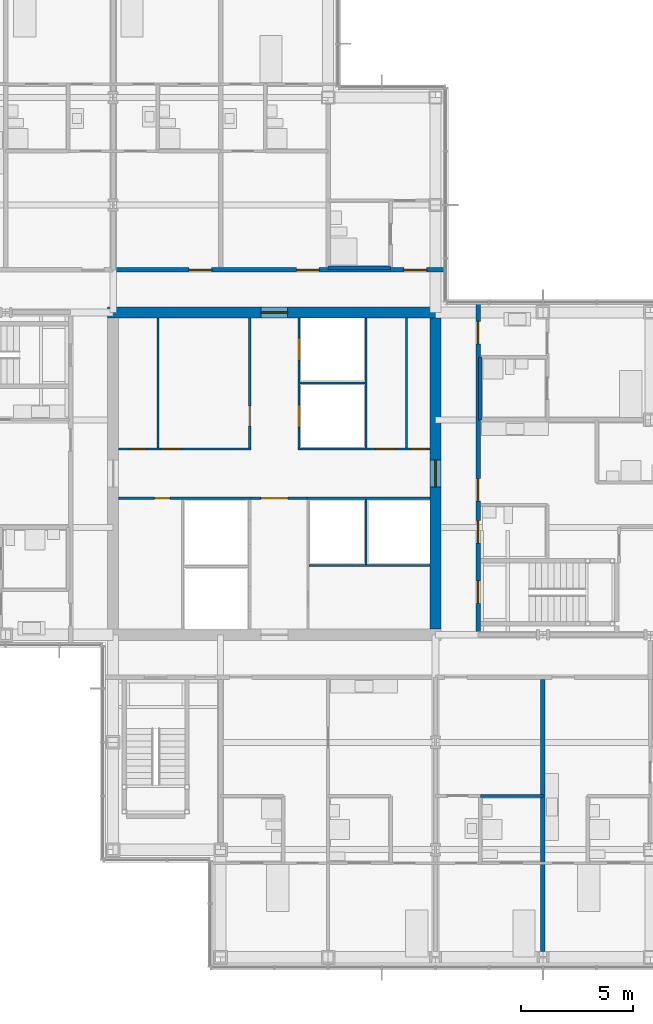
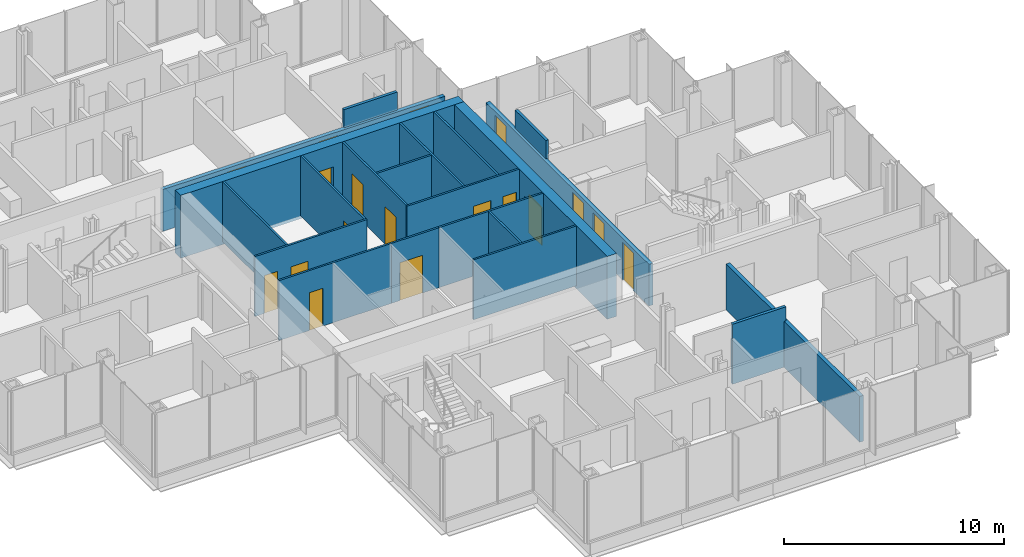
# One storey, part 15 of 20: 21 walls, 18 doors, 18 openings.
"""IFC4 building model written with IfcOpenShell, lengths in metres."""

from ifc_helpers import new_model, si_unit, direction, frame, frame_2d, origin, place, context, subcontext, project, spatial, rectangle, extrude, material, layer, layer_set, type_object, element, fill, save


model = new_model("IFC4")

# Units and contexts
model_context = context("Model", 3, precision=1e-05, world=origin(), true_north=direction((0.0, 1.0)))
body_context = subcontext(model_context, "Body", "Model", "MODEL_VIEW")
ifc_project = project(units=[si_unit("LENGTHUNIT", "METRE"), si_unit("AREAUNIT", "SQUARE_METRE"), si_unit("VOLUMEUNIT", "CUBIC_METRE"), si_unit("PLANEANGLEUNIT", "RADIAN"), si_unit("MASSUNIT", "GRAM", prefix="KILO")], contexts=[model_context])

# Site, building, storey
site_placement = place(None, origin())
site = spatial("IfcSite", under=ifc_project, at=site_placement, CompositionType="ELEMENT")
building_placement = place(site_placement, origin())
building = spatial("IfcBuilding", under=site, at=building_placement, Name="Kvirike Care Tower", CompositionType="ELEMENT")
storey_placement = place(building_placement, frame((0.0, 0.0, 115.5)))
storey = spatial("IfcBuildingStorey", under=building, at=storey_placement, Name="L31", CompositionType="ELEMENT", Elevation=115.5)

# Walls
ifc_material_1 = material(Name="Moisture-resistant board partition", Category="gypsum")
ifc_layer_1 = layer(ifc_material_1, 0.14990234375)
ifc_layer_set_1 = layer_set([ifc_layer_1], Name="BATHROOM WALL 150")
wall_type_1 = type_object("IfcWallType", Name="BATHROOM WALL 150", PredefinedType="PARTITIONING", material=ifc_layer_set_1)
for number, where, z_axis, x_axis, name in (
    (1, (26.800048828125, 45.199951171875, 0.0), (0.0, 0.0, 1.0), (-1.0, 0.0, 0.0), "Bathroom Wall 150 L31"),
    (2, (30.800048828125, 21.60009765625, 0.0), (0.0, 0.0, 1.0), (1.0, 0.0, 0.0), "Bathroom Wall 150 L31"),
    (3, (30.800048828125, 38.39990234375, 0.0), (0.0, 0.0, 1.0), (0.0, 1.0, 0.0), "Bathroom Wall 150 L31"),
):
    element("IfcWall", number, at=place(storey_placement, frame(where, z_axis=z_axis, x_axis=x_axis)), inside=storey, type_object=wall_type_1, Name=name, PredefinedType="PARTITIONING", context=body_context, shape_type="SweptSolid", body=[
        extrude(rectangle(XDim=2.800048828125, YDim=0.14990234375, at=frame_2d((1.39990234375, 0.0))), origin(), (0.0, 0.0, 1.0), 3.330078125),
    ])

# Wall, opening, door
ifc_material_2 = material(Name="Concrete C50/60", Category="concrete")
ifc_layer_2 = layer(ifc_material_2, 0.5)
ifc_layer_set_2 = layer_set([ifc_layer_2], Name="CORE WALL 500 C50-60")
wall_type_2 = type_object("IfcWallType", Name="CORE WALL 500 C50-60", PredefinedType="SHEAR", material=ifc_layer_set_2)
wall_1_placement = place(storey_placement, frame((29.050048828125, 43.199951171875, -0.169921875), z_axis=(0.0, 0.0, 1.0), x_axis=(-1.0, 0.0, 0.0)))
wall_1 = element("IfcWall", 4, at=wall_1_placement, inside=storey, type_object=wall_type_2, Name="Core wall N L31", PredefinedType="SHEAR", context=body_context, shape_type="SweptSolid", body=[
    extrude(rectangle(XDim=14.900146484375, YDim=0.5, at=frame_2d((7.4501953125, 0.0))), origin(), (0.0, 0.0, 1.0), 3.5),
])
opening_1_placement = place(wall_1_placement, frame((6.85009765625, 0.0, 0.169921875)))
opening_1 = element("IfcOpeningElement", 5, at=opening_1_placement, cuts=wall_1, Name="Opening 31-071", PredefinedType="OPENING", context=body_context, shape_type="SweptSolid", body=[
    extrude(rectangle(XDim=1.199951171875, YDim=2.10009765625, at=frame_2d((0.60009765625, 1.050048828125))), frame((0.0, 0.260498046875, 0.0), z_axis=(0.0, -1.0, 0.0), x_axis=(1.0, 0.0, 0.0)), (0.0, 0.0, 1.0), 0.52099609375),
])
ifc_material_3 = material(Name="Timber door set", Category="wood")
door_type_1 = type_object("IfcDoorType", Name="CORE DOOR 1200", OperationType="SINGLE_SWING_LEFT", PredefinedType="DOOR", material=ifc_material_3)
door_1_placement = place(opening_1_placement, origin())
door_1 = element("IfcDoor", 6, at=door_1_placement, inside=storey, type_object=door_type_1, Name="Core door N L31", OperationType="SINGLE_SWING_LEFT", OverallHeight=2.10009765625, OverallWidth=1.199951171875, PredefinedType="DOOR", context=body_context, shape_type="SweptSolid", body=[
    extrude(rectangle(XDim=1.199951171875, YDim=2.10009765625, at=frame_2d((0.60009765625, 1.050048828125))), frame((0.0, 0.02685546875, 0.0), z_axis=(0.0, -1.0, 0.0), x_axis=(1.0, 0.0, 0.0)), (0.0, 0.0, 1.0), 0.053955078125),
])
fill(opening_1, door_1)

wall_2_placement = place(storey_placement, frame((28.800048828125, 29.050048828125, -0.169921875), z_axis=(0.0, 0.0, 1.0), x_axis=(0.0, 1.0, 0.0)))
wall_2 = element("IfcWall", 7, at=wall_2_placement, inside=storey, type_object=wall_type_2, Name="Core wall E L31", PredefinedType="SHEAR", context=body_context, shape_type="SweptSolid", body=[
    extrude(rectangle(XDim=13.89990234375, YDim=0.5, at=frame_2d((6.949951171875, 0.0))), origin(), (0.0, 0.0, 1.0), 3.5),
])
opening_2_placement = place(wall_2_placement, frame((6.35009765625, 0.0, 0.169921875)))
opening_2 = element("IfcOpeningElement", 8, at=opening_2_placement, cuts=wall_2, Name="Opening 31-070", PredefinedType="OPENING", context=body_context, shape_type="SweptSolid", body=[
    extrude(rectangle(XDim=1.199951171875, YDim=2.10009765625, at=frame_2d((0.60009765625, 1.050048828125))), frame((0.0, 0.260498046875, 0.0), z_axis=(0.0, -1.0, 0.0), x_axis=(1.0, 0.0, 0.0)), (0.0, 0.0, 1.0), 0.52099609375),
])
door_2_placement = place(opening_2_placement, origin())
door_2 = element("IfcDoor", 9, at=door_2_placement, inside=storey, type_object=door_type_1, Name="Core door E L31", OperationType="SINGLE_SWING_LEFT", OverallHeight=2.10009765625, OverallWidth=1.199951171875, PredefinedType="DOOR", context=body_context, shape_type="SweptSolid", body=[
    extrude(rectangle(XDim=1.199951171875, YDim=2.10009765625, at=frame_2d((0.60009765625, 1.050048828125))), frame((0.0, 0.02685546875, 0.0), z_axis=(0.0, -1.0, 0.0), x_axis=(1.0, 0.0, 0.0)), (0.0, 0.0, 1.0), 0.053955078125),
])
fill(opening_2, door_2)

# Wall, openings, doors
ifc_material_4 = material(Name="Plasterboard corridor wall", Category="gypsum")
ifc_layer_3 = layer(ifc_material_4, 0.199951171875)
ifc_layer_set_3 = layer_set([ifc_layer_3], Name="CORRIDOR WALL 200")
wall_type_3 = type_object("IfcWallType", Name="CORRIDOR WALL 200", PredefinedType="PARTITIONING", material=ifc_layer_set_3)
wall_3_placement = place(storey_placement, frame((29.239990234375, 45.10009765625, 0.0), z_axis=(0.0, 0.0, 1.0), x_axis=(-1.0, 0.0, 0.0)))
wall_3 = element("IfcWall", 10, at=wall_3_placement, inside=storey, type_object=wall_type_3, Name="Corridor Wall 200 L31", PredefinedType="PARTITIONING", context=body_context, shape_type="SweptSolid", body=[
    extrude(rectangle(XDim=14.840087890625, YDim=0.199951171875, at=frame_2d((7.419921875, 0.0))), origin(), (0.0, 0.0, 1.0), 2.320068359375),
])
opening_3_placement = place(wall_3_placement, frame((0.840087890625, 0.0, 0.0)))
opening_3 = element("IfcOpeningElement", 11, at=opening_3_placement, cuts=wall_3, Name="Opening 31-035", PredefinedType="OPENING", context=body_context, shape_type="SweptSolid", body=[
    extrude(rectangle(XDim=1.0, YDim=2.10009765625, at=frame_2d((0.5, 1.050048828125))), frame((0.0, 0.110595703125, 0.0), z_axis=(0.0, -1.0, 0.0), x_axis=(1.0, 0.0, 0.0)), (0.0, 0.0, 1.0), 0.220947265625),
])
opening_4_placement = place(wall_3_placement, frame((5.639892578125, 0.0, 0.0)))
opening_4 = element("IfcOpeningElement", 12, at=opening_4_placement, cuts=wall_3, Name="Opening 31-036", PredefinedType="OPENING", context=body_context, shape_type="SweptSolid", body=[
    extrude(rectangle(XDim=1.0, YDim=2.10009765625, at=frame_2d((0.5, 1.050048828125))), frame((0.0, 0.110595703125, 0.0), z_axis=(0.0, -1.0, 0.0), x_axis=(1.0, 0.0, 0.0)), (0.0, 0.0, 1.0), 0.220947265625),
])
opening_5_placement = place(wall_3_placement, frame((10.43994140625, 0.0, 0.0)))
opening_5 = element("IfcOpeningElement", 13, at=opening_5_placement, cuts=wall_3, Name="Opening 31-037", PredefinedType="OPENING", context=body_context, shape_type="SweptSolid", body=[
    extrude(rectangle(XDim=1.0, YDim=2.10009765625, at=frame_2d((0.5, 1.050048828125))), frame((0.0, 0.110595703125, 0.0), z_axis=(0.0, -1.0, 0.0), x_axis=(1.0, 0.0, 0.0)), (0.0, 0.0, 1.0), 0.220947265625),
])
ifc_material_5 = material(Name="Timber door set", Category="wood")
door_type_2 = type_object("IfcDoorType", Name="FLAT ENTRANCE DOOR 1000", OperationType="SINGLE_SWING_LEFT", PredefinedType="DOOR", material=ifc_material_5)
door_3_placement = place(opening_3_placement, frame((1.0, 0.0, 0.0), z_axis=(0.0, 0.0, 1.0), x_axis=(-1.0, 0.0, 0.0)))
door_3 = element("IfcDoor", 14, at=door_3_placement, inside=storey, type_object=door_type_2, Name="Care base entrance", OperationType="SINGLE_SWING_LEFT", OverallHeight=2.10009765625, OverallWidth=1.0, PredefinedType="DOOR", context=body_context, shape_type="SweptSolid", body=[
    extrude(rectangle(XDim=1.0, YDim=2.10009765625, at=frame_2d((0.5, 1.050048828125))), frame((0.0, 0.02685546875, 0.0), z_axis=(0.0, -1.0, 0.0), x_axis=(1.0, 0.0, 0.0)), (0.0, 0.0, 1.0), 0.053955078125),
])
fill(opening_3, door_3)
door_4_placement = place(opening_4_placement, frame((1.0, 0.0, 0.0), z_axis=(0.0, 0.0, 1.0), x_axis=(-1.0, 0.0, 0.0)))
door_4 = element("IfcDoor", 15, at=door_4_placement, inside=storey, type_object=door_type_2, Name="Assisted living suite entrance", OperationType="SINGLE_SWING_LEFT", OverallHeight=2.10009765625, OverallWidth=1.0, PredefinedType="DOOR", context=body_context, shape_type="SweptSolid", body=[
    extrude(rectangle(XDim=1.0, YDim=2.10009765625, at=frame_2d((0.5, 1.050048828125))), frame((0.0, 0.02685546875, 0.0), z_axis=(0.0, -1.0, 0.0), x_axis=(1.0, 0.0, 0.0)), (0.0, 0.0, 1.0), 0.053955078125),
])
fill(opening_4, door_4)
door_5_placement = place(opening_5_placement, frame((1.0, 0.0, 0.0), z_axis=(0.0, 0.0, 1.0), x_axis=(-1.0, 0.0, 0.0)))
door_5 = element("IfcDoor", 16, at=door_5_placement, inside=storey, type_object=door_type_2, Name="Assisted living suite entrance", OperationType="SINGLE_SWING_LEFT", OverallHeight=2.10009765625, OverallWidth=1.0, PredefinedType="DOOR", context=body_context, shape_type="SweptSolid", body=[
    extrude(rectangle(XDim=1.0, YDim=2.10009765625, at=frame_2d((0.5, 1.050048828125))), frame((0.0, 0.02685546875, 0.0), z_axis=(0.0, -1.0, 0.0), x_axis=(1.0, 0.0, 0.0)), (0.0, 0.0, 1.0), 0.053955078125),
])
fill(opening_5, door_5)

wall_4_placement = place(storey_placement, frame((30.699951171875, 28.800048828125, 0.0), z_axis=(0.0, 0.0, 1.0), x_axis=(0.0, 1.0, 0.0)))
wall_4 = element("IfcWall", 17, at=wall_4_placement, inside=storey, type_object=wall_type_3, Name="Corridor Wall 200 L31", PredefinedType="PARTITIONING", context=body_context, shape_type="SweptSolid", body=[
    extrude(rectangle(XDim=14.83984375, YDim=0.199951171875, at=frame_2d((7.419921875, 0.0))), origin(), (0.0, 0.0, 1.0), 2.320068359375),
])
opening_6_placement = place(wall_4_placement, frame((1.39990234375, 0.0, 0.0)))
opening_6 = element("IfcOpeningElement", 18, at=opening_6_placement, cuts=wall_4, Name="Opening 31-052", PredefinedType="OPENING", context=body_context, shape_type="SweptSolid", body=[
    extrude(rectangle(XDim=1.0, YDim=2.10009765625, at=frame_2d((0.5, 1.050048828125))), frame((0.0, 0.110595703125, 0.0), z_axis=(0.0, -1.0, 0.0), x_axis=(1.0, 0.0, 0.0)), (0.0, 0.0, 1.0), 0.220947265625),
])
opening_7_placement = place(wall_4_placement, frame((4.10009765625, 0.0, 0.0)))
opening_7 = element("IfcOpeningElement", 19, at=opening_7_placement, cuts=wall_4, Name="Opening 31-053", PredefinedType="OPENING", context=body_context, shape_type="SweptSolid", body=[
    extrude(rectangle(XDim=1.0, YDim=2.10009765625, at=frame_2d((0.5, 1.050048828125))), frame((0.0, 0.110595703125, 0.0), z_axis=(0.0, -1.0, 0.0), x_axis=(1.0, 0.0, 0.0)), (0.0, 0.0, 1.0), 0.220947265625),
])
opening_8_placement = place(wall_4_placement, frame((5.97509765625, 0.0, 0.0)))
opening_8 = element("IfcOpeningElement", 20, at=opening_8_placement, cuts=wall_4, Name="Opening 31-054", PredefinedType="OPENING", context=body_context, shape_type="SweptSolid", body=[
    extrude(rectangle(XDim=1.0, YDim=2.10009765625, at=frame_2d((0.5, 1.050048828125))), frame((0.0, 0.110595703125, 0.0), z_axis=(0.0, -1.0, 0.0), x_axis=(1.0, 0.0, 0.0)), (0.0, 0.0, 1.0), 0.220947265625),
])
opening_9_placement = place(wall_4_placement, frame((13.0, 0.0, 0.0)))
opening_9 = element("IfcOpeningElement", 21, at=opening_9_placement, cuts=wall_4, Name="Opening 31-055", PredefinedType="OPENING", context=body_context, shape_type="SweptSolid", body=[
    extrude(rectangle(XDim=1.0, YDim=2.10009765625, at=frame_2d((0.5, 1.050048828125))), frame((0.0, 0.110595703125, 0.0), z_axis=(0.0, -1.0, 0.0), x_axis=(1.0, 0.0, 0.0)), (0.0, 0.0, 1.0), 0.220947265625),
])
door_6_placement = place(opening_8_placement, frame((1.0, 0.0, 0.0), z_axis=(0.0, 0.0, 1.0), x_axis=(-1.0, 0.0, 0.0)))
door_6 = element("IfcDoor", 22, at=door_6_placement, inside=storey, type_object=door_type_2, Name="Assisted living suite entrance", OperationType="SINGLE_SWING_LEFT", OverallHeight=2.10009765625, OverallWidth=1.0, PredefinedType="DOOR", context=body_context, shape_type="SweptSolid", body=[
    extrude(rectangle(XDim=1.0, YDim=2.10009765625, at=frame_2d((0.5, 1.050048828125))), frame((0.0, 0.02685546875, 0.0), z_axis=(0.0, -1.0, 0.0), x_axis=(1.0, 0.0, 0.0)), (0.0, 0.0, 1.0), 0.053955078125),
])
fill(opening_8, door_6)
door_7_placement = place(opening_9_placement, frame((1.0, 0.0, 0.0), z_axis=(0.0, 0.0, 1.0), x_axis=(-1.0, 0.0, 0.0)))
door_7 = element("IfcDoor", 23, at=door_7_placement, inside=storey, type_object=door_type_2, Name="Assisted living suite entrance", OperationType="SINGLE_SWING_RIGHT", OverallHeight=2.10009765625, OverallWidth=1.0, PredefinedType="DOOR", context=body_context, shape_type="SweptSolid", body=[
    extrude(rectangle(XDim=1.0, YDim=2.10009765625, at=frame_2d((0.5, 1.050048828125))), frame((0.0, 0.02685546875, 0.0), z_axis=(0.0, -1.0, 0.0), x_axis=(1.0, 0.0, 0.0)), (0.0, 0.0, 1.0), 0.053955078125),
])
fill(opening_9, door_7)
ifc_material_6 = material(Name="Timber door set", Category="wood")
door_type_3 = type_object("IfcDoorType", Name="STAIR DOOR 1000", OperationType="SINGLE_SWING_LEFT", PredefinedType="DOOR", material=ifc_material_6)
door_8_placement = place(opening_6_placement, frame((1.0, 0.0, 0.0), z_axis=(0.0, 0.0, 1.0), x_axis=(-1.0, 0.0, 0.0)))
door_8 = element("IfcDoor", 24, at=door_8_placement, inside=storey, type_object=door_type_3, Name="Stair 2 door", OperationType="SINGLE_SWING_LEFT", OverallHeight=2.10009765625, OverallWidth=1.0, PredefinedType="DOOR", context=body_context, shape_type="SweptSolid", body=[
    extrude(rectangle(XDim=1.0, YDim=2.10009765625, at=frame_2d((0.5, 1.050048828125))), frame((0.0, 0.031982421875, 0.0), z_axis=(0.0, -1.0, 0.0), x_axis=(1.0, 0.0, 0.0)), (0.0, 0.0, 1.0), 0.06396484375),
])
fill(opening_6, door_8)
ifc_material_7 = material(Name="Timber door set", Category="wood")
door_type_4 = type_object("IfcDoorType", Name="WC DOOR 1000", OperationType="SINGLE_SWING_LEFT", PredefinedType="DOOR", material=ifc_material_7)
door_9_placement = place(opening_7_placement, frame((1.0, 0.0, 0.0), z_axis=(0.0, 0.0, 1.0), x_axis=(-1.0, 0.0, 0.0)))
door_9 = element("IfcDoor", 25, at=door_9_placement, inside=storey, type_object=door_type_4, Name="Accessible WC door", OperationType="SINGLE_SWING_LEFT", OverallHeight=2.10009765625, OverallWidth=1.0, PredefinedType="DOOR", context=body_context, shape_type="SweptSolid", body=[
    extrude(rectangle(XDim=1.0, YDim=2.10009765625, at=frame_2d((0.5, 1.050048828125))), frame((0.0, 0.02685546875, 0.0), z_axis=(0.0, -1.0, 0.0), x_axis=(1.0, 0.0, 0.0)), (0.0, 0.0, 1.0), 0.053955078125),
])
fill(opening_7, door_9)

# Walls
ifc_material_8 = material(Name="Plasterboard party wall", Category="gypsum")
ifc_layer_4 = layer(ifc_material_8, 0.199951171875)
ifc_layer_set_4 = layer_set([ifc_layer_4], Name="PARTY WALL 200")
wall_type_4 = type_object("IfcWallType", Name="PARTY WALL 200", PredefinedType="PARTITIONING", material=ifc_layer_set_4)
wall_5_placement = place(storey_placement, frame((33.60009765625, 14.64404296875, 0.0), z_axis=(0.0, 0.0, 1.0), x_axis=(0.0, 1.0, 0.0)))
element("IfcWall", 26, at=wall_5_placement, inside=storey, type_object=wall_type_4, Name="Party Wall 200 L31", PredefinedType="PARTITIONING", context=body_context, shape_type="SweptSolid", body=[
    extrude(rectangle(XDim=12.156005859375, YDim=0.199951171875, at=frame_2d((6.078125, 0.0))), origin(), (0.0, 0.0, 1.0), 2.550048828125),
])
ifc_material_9 = material(Name="Gypsum shaft wall system", Category="gypsum")
ifc_layer_5 = layer(ifc_material_9, 0.10009765625)
ifc_layer_set_5 = layer_set([ifc_layer_5], Name="SHAFT WALL 100")
wall_type_5 = type_object("IfcWallType", Name="SHAFT WALL 100", PredefinedType="SOLIDWALL", material=ifc_layer_set_5)
for number, where, z_axis, x_axis, name in (
    (27, (16.39990234375, 37.14990234375, 0.0), (0.0, 0.0, 1.0), (0.0, 1.0, 0.0), "Shaft Wall 100 L31"),
    (28, (27.5, 37.14990234375, 0.0), (0.0, 0.0, 1.0), (0.0, 1.0, 0.0), "Shaft Wall 100 L31"),
):
    element("IfcWall", number, at=place(storey_placement, frame(where, z_axis=z_axis, x_axis=x_axis)), inside=storey, type_object=wall_type_5, Name=name, PredefinedType="SOLIDWALL", context=body_context, shape_type="SweptSolid", body=[
        extrude(rectangle(XDim=5.800048828125, YDim=0.10009765625, at=frame_2d((2.89990234375, 0.0))), origin(), (0.0, 0.0, 1.0), 3.330078125),
    ])

# Wall, opening, door
wall_6_placement = place(storey_placement, frame((20.5, 37.14990234375, 0.0), z_axis=(0.0, 0.0, 1.0), x_axis=(0.0, 1.0, 0.0)))
wall_6 = element("IfcWall", 29, at=wall_6_placement, inside=storey, type_object=wall_type_5, Name="Shaft Wall 100 L31", PredefinedType="SOLIDWALL", context=body_context, shape_type="SweptSolid", body=[
    extrude(rectangle(XDim=5.800048828125, YDim=0.10009765625, at=frame_2d((2.89990234375, 0.0))), origin(), (0.0, 0.0, 1.0), 3.330078125),
])
opening_10_placement = place(wall_6_placement, frame((0.97509765625, 0.0, 0.0)))
opening_10 = element("IfcOpeningElement", 30, at=opening_10_placement, cuts=wall_6, Name="Opening 31-058", PredefinedType="OPENING", context=body_context, shape_type="SweptSolid", body=[
    extrude(rectangle(XDim=0.89990234375, YDim=2.10009765625, at=frame_2d((0.449951171875, 1.050048828125))), frame((0.0, 0.060546875, 0.0), z_axis=(0.0, -1.0, 0.0), x_axis=(1.0, 0.0, 0.0)), (0.0, 0.0, 1.0), 0.12109375),
])
ifc_material_10 = material(Name="Timber door set", Category="wood")
door_type_5 = type_object("IfcDoorType", Name="STORE DOOR 900", OperationType="SINGLE_SWING_LEFT", PredefinedType="DOOR", material=ifc_material_10)
door_10_placement = place(opening_10_placement, origin())
door_10 = element("IfcDoor", 31, at=door_10_placement, inside=storey, type_object=door_type_5, Name="Housekeeping office door", OperationType="SINGLE_SWING_RIGHT", OverallHeight=2.10009765625, OverallWidth=0.89990234375, PredefinedType="DOOR", context=body_context, shape_type="SweptSolid", body=[
    extrude(rectangle(XDim=0.89990234375, YDim=2.10009765625, at=frame_2d((0.449951171875, 1.050048828125))), frame((0.0, 0.02685546875, 0.0), z_axis=(0.0, -1.0, 0.0), x_axis=(1.0, 0.0, 0.0)), (0.0, 0.0, 1.0), 0.053955078125),
])
fill(opening_10, door_10)

# Wall, openings, doors
wall_7_placement = place(storey_placement, frame((22.699951171875, 37.14990234375, 0.0), z_axis=(0.0, 0.0, 1.0), x_axis=(0.0, 1.0, 0.0)))
wall_7 = element("IfcWall", 32, at=wall_7_placement, inside=storey, type_object=wall_type_5, Name="Shaft Wall 100 L31", PredefinedType="SOLIDWALL", context=body_context, shape_type="SweptSolid", body=[
    extrude(rectangle(XDim=5.800048828125, YDim=0.10009765625, at=frame_2d((2.89990234375, 0.0))), origin(), (0.0, 0.0, 1.0), 3.330078125),
])
opening_11_placement = place(wall_7_placement, frame((0.925048828125, 0.0, 0.0)))
opening_11 = element("IfcOpeningElement", 33, at=opening_11_placement, cuts=wall_7, Name="Opening 31-059", PredefinedType="OPENING", context=body_context, shape_type="SweptSolid", body=[
    extrude(rectangle(XDim=1.0, YDim=2.10009765625, at=frame_2d((0.5, 1.050048828125))), frame((0.0, 0.060546875, 0.0), z_axis=(0.0, -1.0, 0.0), x_axis=(1.0, 0.0, 0.0)), (0.0, 0.0, 1.0), 0.12109375),
])
opening_12_placement = place(wall_7_placement, frame((3.89990234375, 0.0, 0.0)))
opening_12 = element("IfcOpeningElement", 34, at=opening_12_placement, cuts=wall_7, Name="Opening 31-060", PredefinedType="OPENING", context=body_context, shape_type="SweptSolid", body=[
    extrude(rectangle(XDim=1.0, YDim=2.10009765625, at=frame_2d((0.5, 1.050048828125))), frame((0.0, 0.060546875, 0.0), z_axis=(0.0, -1.0, 0.0), x_axis=(1.0, 0.0, 0.0)), (0.0, 0.0, 1.0), 0.12109375),
])
ifc_material_11 = material(Name="Aluminium door frame", Category="aluminium")
door_type_6 = type_object("IfcDoorType", Name="LIFT LANDING DOOR 1000", OperationType="SLIDING_TO_LEFT", PredefinedType="DOOR", material=ifc_material_11)
door_11_placement = place(opening_11_placement, origin())
door_11 = element("IfcDoor", 35, at=door_11_placement, inside=storey, type_object=door_type_6, Name="Lift P3 landing door", OperationType="SLIDING_TO_LEFT", OverallHeight=2.10009765625, OverallWidth=1.0, PredefinedType="DOOR", context=body_context, shape_type="SweptSolid", body=[
    extrude(rectangle(XDim=1.0, YDim=2.10009765625, at=frame_2d((0.5, 1.050048828125))), frame((0.0, 0.0498046875, 0.0), z_axis=(0.0, -1.0, 0.0), x_axis=(1.0, 0.0, 0.0)), (0.0, 0.0, 1.0), 0.099609375),
])
fill(opening_11, door_11)
door_12_placement = place(opening_12_placement, origin())
door_12 = element("IfcDoor", 36, at=door_12_placement, inside=storey, type_object=door_type_6, Name="Lift P4 landing door", OperationType="SLIDING_TO_LEFT", OverallHeight=2.10009765625, OverallWidth=1.0, PredefinedType="DOOR", context=body_context, shape_type="SweptSolid", body=[
    extrude(rectangle(XDim=1.0, YDim=2.10009765625, at=frame_2d((0.5, 1.050048828125))), frame((0.0, 0.0498046875, 0.0), z_axis=(0.0, -1.0, 0.0), x_axis=(1.0, 0.0, 0.0)), (0.0, 0.0, 1.0), 0.099609375),
])
fill(opening_12, door_12)

# Wall, opening, door
wall_8_placement = place(storey_placement, frame((14.64990234375, 34.89990234375, 0.0), z_axis=(0.0, 0.0, 1.0), x_axis=(1.0, 0.0, 0.0)))
wall_8 = element("IfcWall", 37, at=wall_8_placement, inside=storey, type_object=wall_type_5, Name="Shaft Wall 100 L31", PredefinedType="SOLIDWALL", context=body_context, shape_type="SweptSolid", body=[
    extrude(rectangle(XDim=5.900146484375, YDim=0.10009765625, at=frame_2d((2.9501953125, 0.0))), origin(), (0.0, 0.0, 1.0), 3.330078125),
])
opening_13_placement = place(wall_8_placement, frame((1.60009765625, 0.0, 0.0)))
opening_13 = element("IfcOpeningElement", 38, at=opening_13_placement, cuts=wall_8, Name="Opening 31-062", PredefinedType="OPENING", context=body_context, shape_type="SweptSolid", body=[
    extrude(rectangle(XDim=0.699951171875, YDim=2.10009765625, at=frame_2d((0.35009765625, 1.050048828125))), frame((0.0, 0.060546875, 0.0), z_axis=(0.0, -1.0, 0.0), x_axis=(1.0, 0.0, 0.0)), (0.0, 0.0, 1.0), 0.12109375),
])
ifc_material_12 = material(Name="Timber door set", Category="wood")
door_type_7 = type_object("IfcDoorType", Name="RISER DOOR 700", OperationType="SINGLE_SWING_LEFT", PredefinedType="DOOR", material=ifc_material_12)
door_13_placement = place(opening_13_placement, frame((0.699951171875, 0.0, 0.0), z_axis=(0.0, 0.0, 1.0), x_axis=(-1.0, 0.0, 0.0)))
door_13 = element("IfcDoor", 39, at=door_13_placement, inside=storey, type_object=door_type_7, Name="Riser door", OperationType="SINGLE_SWING_RIGHT", OverallHeight=2.10009765625, OverallWidth=0.699951171875, PredefinedType="DOOR", context=body_context, shape_type="SweptSolid", body=[
    extrude(rectangle(XDim=0.699951171875, YDim=2.10009765625, at=frame_2d((0.35009765625, 1.050048828125))), frame((0.0, 0.02685546875, 0.0), z_axis=(0.0, -1.0, 0.0), x_axis=(1.0, 0.0, 0.0)), (0.0, 0.0, 1.0), 0.053955078125),
])
fill(opening_13, door_13)

# Wall
wall_9_placement = place(storey_placement, frame((23.050048828125, 34.89990234375, 0.0), z_axis=(0.0, 0.0, 1.0), x_axis=(1.0, 0.0, 0.0)))
element("IfcWall", 40, at=wall_9_placement, inside=storey, type_object=wall_type_5, Name="Shaft Wall 100 L31", PredefinedType="SOLIDWALL", context=body_context, shape_type="SweptSolid", body=[
    extrude(rectangle(XDim=5.5, YDim=0.10009765625, at=frame_2d((2.75, 0.0))), origin(), (0.0, 0.0, 1.0), 3.330078125),
])

# Wall, openings, doors
wall_10_placement = place(storey_placement, frame((14.64990234375, 37.10009765625, 0.0), z_axis=(0.0, 0.0, 1.0), x_axis=(1.0, 0.0, 0.0)))
wall_10 = element("IfcWall", 41, at=wall_10_placement, inside=storey, type_object=wall_type_5, Name="Shaft Wall 100 L31", PredefinedType="SOLIDWALL", context=body_context, shape_type="SweptSolid", body=[
    extrude(rectangle(XDim=5.900146484375, YDim=0.10009765625, at=frame_2d((2.9501953125, 0.0))), origin(), (0.0, 0.0, 1.0), 3.330078125),
])
opening_14_placement = place(wall_10_placement, frame((0.5, 0.0, 0.0)))
opening_14 = element("IfcOpeningElement", 42, at=opening_14_placement, cuts=wall_10, Name="Opening 31-063", PredefinedType="OPENING", context=body_context, shape_type="SweptSolid", body=[
    extrude(rectangle(XDim=0.699951171875, YDim=2.10009765625, at=frame_2d((0.35009765625, 1.050048828125))), frame((0.0, 0.060546875, 0.0), z_axis=(0.0, -1.0, 0.0), x_axis=(1.0, 0.0, 0.0)), (0.0, 0.0, 1.0), 0.12109375),
])
opening_15_placement = place(wall_10_placement, frame((1.89990234375, 0.0, 0.0)))
opening_15 = element("IfcOpeningElement", 43, at=opening_15_placement, cuts=wall_10, Name="Opening 31-064", PredefinedType="OPENING", context=body_context, shape_type="SweptSolid", body=[
    extrude(rectangle(XDim=0.89990234375, YDim=2.10009765625, at=frame_2d((0.449951171875, 1.050048828125))), frame((0.0, 0.060546875, 0.0), z_axis=(0.0, -1.0, 0.0), x_axis=(1.0, 0.0, 0.0)), (0.0, 0.0, 1.0), 0.12109375),
])
door_14_placement = place(opening_14_placement, origin())
door_14 = element("IfcDoor", 44, at=door_14_placement, inside=storey, type_object=door_type_7, Name="Riser door", OperationType="SINGLE_SWING_RIGHT", OverallHeight=2.10009765625, OverallWidth=0.699951171875, PredefinedType="DOOR", context=body_context, shape_type="SweptSolid", body=[
    extrude(rectangle(XDim=0.699951171875, YDim=2.10009765625, at=frame_2d((0.35009765625, 1.050048828125))), frame((0.0, 0.02685546875, 0.0), z_axis=(0.0, -1.0, 0.0), x_axis=(1.0, 0.0, 0.0)), (0.0, 0.0, 1.0), 0.053955078125),
])
fill(opening_14, door_14)
door_15_placement = place(opening_15_placement, origin())
door_15 = element("IfcDoor", 45, at=door_15_placement, inside=storey, type_object=door_type_5, Name="Housekeeping office door", OperationType="SINGLE_SWING_RIGHT", OverallHeight=2.10009765625, OverallWidth=0.89990234375, PredefinedType="DOOR", context=body_context, shape_type="SweptSolid", body=[
    extrude(rectangle(XDim=0.89990234375, YDim=2.10009765625, at=frame_2d((0.449951171875, 1.050048828125))), frame((0.0, 0.02685546875, 0.0), z_axis=(0.0, -1.0, 0.0), x_axis=(1.0, 0.0, 0.0)), (0.0, 0.0, 1.0), 0.053955078125),
])
fill(opening_15, door_15)

wall_11_placement = place(storey_placement, frame((22.64990234375, 37.10009765625, 0.0), z_axis=(0.0, 0.0, 1.0), x_axis=(1.0, 0.0, 0.0)))
wall_11 = element("IfcWall", 46, at=wall_11_placement, inside=storey, type_object=wall_type_5, Name="Shaft Wall 100 L31", PredefinedType="SOLIDWALL", context=body_context, shape_type="SweptSolid", body=[
    extrude(rectangle(XDim=5.900146484375, YDim=0.10009765625, at=frame_2d((2.9501953125, 0.0))), origin(), (0.0, 0.0, 1.0), 3.330078125),
])
opening_16_placement = place(wall_11_placement, frame((3.5, 0.0, 0.0)))
opening_16 = element("IfcOpeningElement", 47, at=opening_16_placement, cuts=wall_11, Name="Opening 31-065", PredefinedType="OPENING", context=body_context, shape_type="SweptSolid", body=[
    extrude(rectangle(XDim=0.89990234375, YDim=2.10009765625, at=frame_2d((0.449951171875, 1.050048828125))), frame((0.0, 0.060546875, 0.0), z_axis=(0.0, -1.0, 0.0), x_axis=(1.0, 0.0, 0.0)), (0.0, 0.0, 1.0), 0.12109375),
])
opening_17_placement = place(wall_11_placement, frame((5.050048828125, 0.0, 0.0)))
opening_17 = element("IfcOpeningElement", 48, at=opening_17_placement, cuts=wall_11, Name="Opening 31-066", PredefinedType="OPENING", context=body_context, shape_type="SweptSolid", body=[
    extrude(rectangle(XDim=0.699951171875, YDim=2.10009765625, at=frame_2d((0.35009765625, 1.050048828125))), frame((0.0, 0.060546875, 0.0), z_axis=(0.0, -1.0, 0.0), x_axis=(1.0, 0.0, 0.0)), (0.0, 0.0, 1.0), 0.12109375),
])
door_16_placement = place(opening_17_placement, origin())
door_16 = element("IfcDoor", 49, at=door_16_placement, inside=storey, type_object=door_type_7, Name="Riser door", OperationType="SINGLE_SWING_LEFT", OverallHeight=2.10009765625, OverallWidth=0.699951171875, PredefinedType="DOOR", context=body_context, shape_type="SweptSolid", body=[
    extrude(rectangle(XDim=0.699951171875, YDim=2.10009765625, at=frame_2d((0.35009765625, 1.050048828125))), frame((0.0, 0.02685546875, 0.0), z_axis=(0.0, -1.0, 0.0), x_axis=(1.0, 0.0, 0.0)), (0.0, 0.0, 1.0), 0.053955078125),
])
fill(opening_17, door_16)
door_17_placement = place(opening_16_placement, origin())
door_17 = element("IfcDoor", 50, at=door_17_placement, inside=storey, type_object=door_type_5, Name="Records store door", OperationType="SINGLE_SWING_LEFT", OverallHeight=2.10009765625, OverallWidth=0.89990234375, PredefinedType="DOOR", context=body_context, shape_type="SweptSolid", body=[
    extrude(rectangle(XDim=0.89990234375, YDim=2.10009765625, at=frame_2d((0.449951171875, 1.050048828125))), frame((0.0, 0.02685546875, 0.0), z_axis=(0.0, -1.0, 0.0), x_axis=(1.0, 0.0, 0.0)), (0.0, 0.0, 1.0), 0.053955078125),
])
fill(opening_16, door_17)

# Wall, opening, door
wall_12_placement = place(storey_placement, frame((20.550048828125, 34.89990234375, 0.0), z_axis=(0.0, 0.0, 1.0), x_axis=(1.0, 0.0, 0.0)))
wall_12 = element("IfcWall", 51, at=wall_12_placement, inside=storey, type_object=wall_type_5, Name="Shaft Wall 100 L31", PredefinedType="SOLIDWALL", context=body_context, shape_type="SweptSolid", body=[
    extrude(rectangle(XDim=2.5, YDim=0.10009765625, at=frame_2d((1.25, 0.0))), origin(), (0.0, 0.0, 1.0), 3.330078125),
])
opening_18_placement = place(wall_12_placement, frame((0.449951171875, 0.0, 0.0)))
opening_18 = element("IfcOpeningElement", 52, at=opening_18_placement, cuts=wall_12, Name="Opening 31-067", PredefinedType="OPENING", context=body_context, shape_type="SweptSolid", body=[
    extrude(rectangle(XDim=1.199951171875, YDim=2.10009765625, at=frame_2d((0.60009765625, 1.050048828125))), frame((0.0, 0.060546875, 0.0), z_axis=(0.0, -1.0, 0.0), x_axis=(1.0, 0.0, 0.0)), (0.0, 0.0, 1.0), 0.12109375),
])
door_18_placement = place(opening_18_placement, frame((1.199951171875, 0.0, 0.0), z_axis=(0.0, 0.0, 1.0), x_axis=(-1.0, 0.0, 0.0)))
door_18 = element("IfcDoor", 53, at=door_18_placement, inside=storey, type_object=door_type_1, Name="Fire-fighting lobby door", OperationType="SINGLE_SWING_LEFT", OverallHeight=2.10009765625, OverallWidth=1.199951171875, PredefinedType="DOOR", context=body_context, shape_type="SweptSolid", body=[
    extrude(rectangle(XDim=1.199951171875, YDim=2.10009765625, at=frame_2d((0.60009765625, 1.050048828125))), frame((0.0, 0.02685546875, 0.0), z_axis=(0.0, -1.0, 0.0), x_axis=(1.0, 0.0, 0.0)), (0.0, 0.0, 1.0), 0.053955078125),
])
fill(opening_18, door_18)

# Walls
wall_13_placement = place(storey_placement, frame((22.75, 40.050048828125, 0.0), z_axis=(0.0, 0.0, 1.0), x_axis=(1.0, 0.0, 0.0)))
element("IfcWall", 54, at=wall_13_placement, inside=storey, type_object=wall_type_5, Name="Shaft Wall 100 L31", PredefinedType="SOLIDWALL", context=body_context, shape_type="SweptSolid", body=[
    extrude(rectangle(XDim=2.89990234375, YDim=0.10009765625, at=frame_2d((1.449951171875, 0.0))), origin(), (0.0, 0.0, 1.0), 3.330078125),
])
wall_14_placement = place(storey_placement, frame((25.699951171875, 37.14990234375, 0.0), z_axis=(0.0, 0.0, 1.0), x_axis=(0.0, 1.0, 0.0)))
element("IfcWall", 55, at=wall_14_placement, inside=storey, type_object=wall_type_5, Name="Shaft Wall 100 L31", PredefinedType="SOLIDWALL", context=body_context, shape_type="SweptSolid", body=[
    extrude(rectangle(XDim=5.800048828125, YDim=0.10009765625, at=frame_2d((2.89990234375, 0.0))), origin(), (0.0, 0.0, 1.0), 3.330078125),
])
wall_15_placement = place(storey_placement, frame((25.699951171875, 31.949951171875, 0.0), z_axis=(0.0, 0.0, 1.0), x_axis=(0.0, 1.0, 0.0)))
element("IfcWall", 56, at=wall_15_placement, inside=storey, type_object=wall_type_5, Name="Shaft Wall 100 L31", PredefinedType="SOLIDWALL", context=body_context, shape_type="SweptSolid", body=[
    extrude(rectangle(XDim=2.900146484375, YDim=0.10009765625, at=frame_2d((1.4501953125, 0.0))), origin(), (0.0, 0.0, 1.0), 3.330078125),
])
wall_16_placement = place(storey_placement, frame((23.14990234375, 31.89990234375, 0.0), z_axis=(0.0, 0.0, 1.0), x_axis=(1.0, 0.0, 0.0)))
element("IfcWall", 57, at=wall_16_placement, inside=storey, type_object=wall_type_5, Name="Shaft Wall 100 L31", PredefinedType="SOLIDWALL", context=body_context, shape_type="SweptSolid", body=[
    extrude(rectangle(XDim=5.400146484375, YDim=0.10009765625, at=frame_2d((2.7001953125, 0.0))), origin(), (0.0, 0.0, 1.0), 3.330078125),
])

save(model, "model.ifc")
